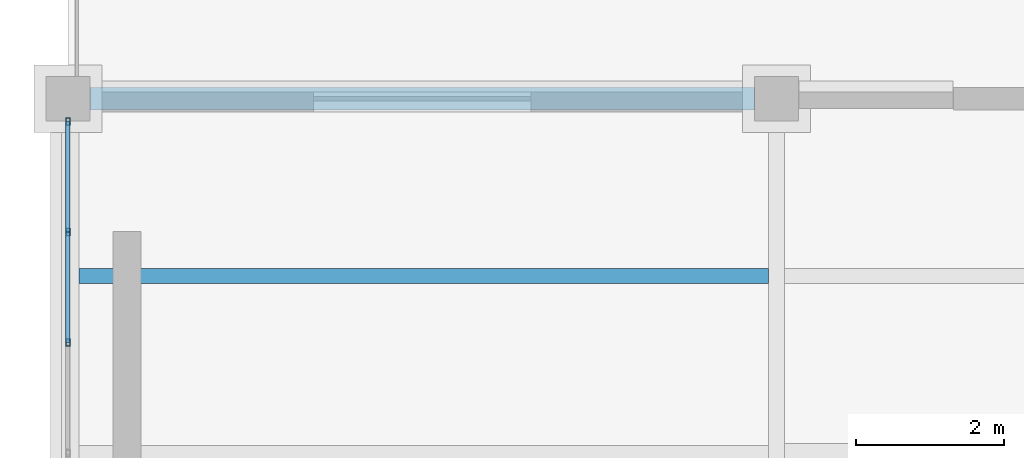
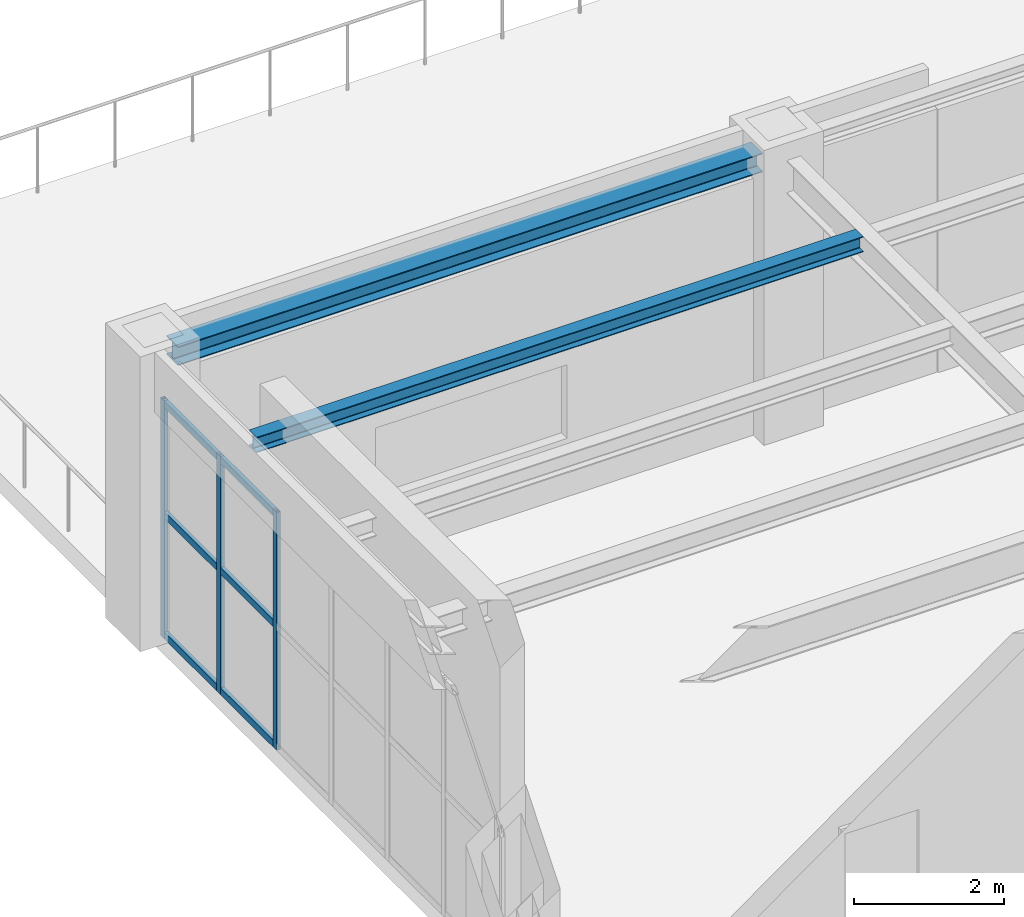
# One storey, part 5 of 83: 9 members, 2 beams, 1 element without a shape of its own.
"""IFC4 building model written with IfcOpenShell, lengths in metres."""

import ifcopenshell
import ifcopenshell.guid

model = None  # the IFC model being written
_history = None  # IfcOwnerHistory: only IFC2X3 demands one
_inside = {}  # id of a spatial element -> (the spatial element, [elements in it])
_under = {}  # id of a project, library or spatial element -> (it, [spatial elements below it])
_declared = {}  # id of a project -> (the project, [libraries it declares])
_typed = {}  # id of a type object -> (the type object, [elements of that type])
_made_of = {}  # id of a material, layer set ... -> (it, [elements and type objects made of it])


def new_model(schema):
    """Start an empty IFC model of exactly this schema.

    Asked for "IFC4X3", IfcOpenShell would pick the latest addendum, in which some entities
    have other attributes; the version numbers below select the first issue.
    IFC2X3 requires an IfcOwnerHistory on every rooted entity: one is made here for all.
    """
    global model, _history
    if schema == "IFC4X3":
        model = ifcopenshell.file(schema_version=(4, 3, 0, 0))
    else:
        model = ifcopenshell.file(schema=schema)
    _inside.clear()
    _under.clear()
    _declared.clear()
    _typed.clear()
    _made_of.clear()
    _history = None
    if model.schema == "IFC2X3":
        org = make("IfcOrganization", Name="unknown")
        user = make(
            "IfcPersonAndOrganization",
            ThePerson=make("IfcPerson", FamilyName="unknown"),
            TheOrganization=org,
        )
        app = make(
            "IfcApplication",
            ApplicationDeveloper=org,
            Version="unknown",
            ApplicationFullName="unknown",
            ApplicationIdentifier="unknown",
        )
        _history = make(
            "IfcOwnerHistory",
            OwningUser=user,
            OwningApplication=app,
            ChangeAction="ADDED",
            CreationDate=0,
        )
    return model


def make(cls, **values):
    """One entity of the class cls with the attributes given. An attribute that is None is left unset."""
    return model.create_entity(
        cls, **{name: value for name, value in values.items() if value is not None}
    )


def rooted(cls, **values):
    """An entity with a GlobalId (a new one), such as an element, a storey or a relation."""
    return make(cls, GlobalId=ifcopenshell.guid.new(), OwnerHistory=_history, **values)


def si_unit(unit_type, name, prefix=None):
    """IfcSIUnit, for example si_unit("LENGTHUNIT", "METRE", prefix="MILLI")."""
    return make("IfcSIUnit", UnitType=unit_type, Prefix=prefix, Name=name)


def assignment(units):
    """IfcUnitAssignment: the units of a project."""
    return None if units is None else make("IfcUnitAssignment", Units=units)


def point(xyz):
    """IfcCartesianPoint."""
    return None if xyz is None else make("IfcCartesianPoint", Coordinates=xyz)


def direction(xyz):
    """IfcDirection."""
    return None if xyz is None else make("IfcDirection", DirectionRatios=xyz)


def frame(location, z_axis=None, x_axis=None):
    """IfcAxis2Placement3D, a coordinate frame: its origin and axes. An axis left out is left unset."""
    return make(
        "IfcAxis2Placement3D",
        Location=point(location),
        Axis=direction(z_axis),
        RefDirection=direction(x_axis),
    )


def frame_2d(location, x_axis=None):
    """IfcAxis2Placement2D, a coordinate frame in the plane: its origin and x axis."""
    return make(
        "IfcAxis2Placement2D", Location=point(location), RefDirection=direction(x_axis)
    )


def origin():
    """The frame at (0, 0, 0) with its axes left unset."""
    return frame((0.0, 0.0, 0.0))


def origin_2d():
    """The frame at (0, 0) in the plane with its x axis left unset."""
    return frame_2d((0.0, 0.0))


def place(relative_to, where):
    """IfcLocalPlacement: puts the frame where relative to a parent placement (None: the world)."""
    return make(
        "IfcLocalPlacement", PlacementRelTo=relative_to, RelativePlacement=where
    )


def context(
    kind, dimensions, precision=None, world=None, true_north=None, identifier=None
):
    """IfcGeometricRepresentationContext, for example the 3D "Model" context."""
    return make(
        "IfcGeometricRepresentationContext",
        ContextIdentifier=identifier,
        ContextType=kind,
        CoordinateSpaceDimension=dimensions,
        Precision=precision,
        WorldCoordinateSystem=world,
        TrueNorth=true_north,
    )


def subcontext(parent, identifier, kind, view, scale=None):
    """IfcGeometricRepresentationSubContext, for example "Body" below "Model"."""
    return make(
        "IfcGeometricRepresentationSubContext",
        ContextIdentifier=identifier,
        ContextType=kind,
        ParentContext=parent,
        TargetScale=scale,
        TargetView=view,
    )


def project(units=None, contexts=None):
    """IfcProject with its units and contexts."""
    return rooted(
        "IfcProject",
        Name="project",
        RepresentationContexts=contexts,
        UnitsInContext=assignment(units),
    )


def spatial(cls, under=None, at=None, **own):
    """A site, building, storey or space (cls), placed at a placement, below another one or the project."""
    s = rooted(cls, ObjectPlacement=at, **own)
    if under is not None:
        _under.setdefault(under.id(), (under, []))[1].append(s)
    return s


def profile(cls, at=None, kind="AREA", **sizes):
    """A parametric profile (cls). Its sizes go by their IFC names, for example OverallWidth=200.0."""
    return make(cls, ProfileType=kind, Position=at, **sizes)


def hollow_rectangle(**sizes):
    """IfcRectangleHollowProfileDef."""
    return profile("IfcRectangleHollowProfileDef", **sizes)


def i_section(**sizes):
    """IfcIShapeProfileDef."""
    return profile("IfcIShapeProfileDef", **sizes)


def extrude(swept, where, along, depth):
    """IfcExtrudedAreaSolid: the profile swept, set in the frame where, extruded along a direction by depth."""
    return make(
        "IfcExtrudedAreaSolid",
        SweptArea=swept,
        Position=where,
        ExtrudedDirection=direction(along),
        Depth=depth,
    )


def shape(context_of_items, identifier, shape_type, items):
    """IfcShapeRepresentation: the items that make up one representation, for example the "Body"."""
    return make(
        "IfcShapeRepresentation",
        ContextOfItems=context_of_items,
        RepresentationIdentifier=identifier,
        RepresentationType=shape_type,
        Items=items,
    )


def material(Name=None, Category=None):
    """IfcMaterial."""
    return make("IfcMaterial", Name=Name, Category=Category)


def material_profile(
    of_material, cross_section, Name=None, Category=None, Priority=None
):
    """IfcMaterialProfile: a cross section and its material."""
    return make(
        "IfcMaterialProfile",
        Name=Name,
        Material=of_material,
        Profile=cross_section,
        Priority=Priority,
        Category=Category,
    )


def profile_set(profiles, Name=None, composite=None):
    """IfcMaterialProfileSet."""
    return make(
        "IfcMaterialProfileSet",
        Name=Name,
        MaterialProfiles=profiles,
        CompositeProfile=composite,
    )


def made_of(thing, what):
    """Note that an element or type object is made of a material, layer set ...; save() writes the relation."""
    if what is not None:
        _made_of.setdefault(what.id(), (what, []))[1].append(thing)
    return thing


def type_object(cls, material=None, **own):
    """A type object (cls), such as IfcWallType, which elements share."""
    return made_of(rooted(cls, **own), material)


def element(
    cls,
    number,
    at=None,
    inside=None,
    cuts=None,
    type_object=None,
    material=None,
    context=None,
    identifier="Body",
    shape_type=None,
    held_by="IfcProductDefinitionShape",
    body=None,
    shapes=None,
    **own,
):
    """One element of the class cls, such as IfcWall. Its Tag is "e" and its number.

    at: its placement. inside: the storey or other place that contains it. cuts: it is an
    opening in that element (IfcRelVoidsElement). A single representation is given by context,
    identifier, shape_type and body (its items); several are given by shapes. held_by: the class
    of the entity that holds the representations. save() writes the other relations.
    """
    e = rooted(cls, Tag="e%d" % number, ObjectPlacement=at, **own)
    if body is not None:
        shapes = [shape(context, identifier, shape_type, body)]
    if shapes is not None:
        e.Representation = make(held_by, Representations=shapes)
    if inside is not None:
        _inside.setdefault(inside.id(), (inside, []))[1].append(e)
    if cuts is not None:
        rooted(
            "IfcRelVoidsElement", RelatingBuildingElement=cuts, RelatedOpeningElement=e
        )
    if type_object is not None:
        _typed.setdefault(type_object.id(), (type_object, []))[1].append(e)
    return made_of(e, material)


def aggregate(whole, parts):
    """IfcRelAggregates: a whole, such as a stair, and the parts it consists of."""
    return rooted("IfcRelAggregates", RelatingObject=whole, RelatedObjects=parts)


def save(model, path):
    """Write the relations noted so far, then the file.

    IfcRelAggregates (storeys below a building ...), IfcRelContainedInSpatialStructure (elements
    in a storey), IfcRelDefinesByType, IfcRelAssociatesMaterial and IfcRelDeclares: one each for
    every whole, place, type object, material and project.
    """
    for whole, parts in _under.values():
        aggregate(whole, parts)
    for where, things in _inside.values():
        rooted(
            "IfcRelContainedInSpatialStructure",
            RelatedElements=things,
            RelatingStructure=where,
        )
    for kind, things in _typed.values():
        rooted("IfcRelDefinesByType", RelatedObjects=things, RelatingType=kind)
    for what, things in _made_of.values():
        rooted("IfcRelAssociatesMaterial", RelatedObjects=things, RelatingMaterial=what)
    for by, libraries in _declared.values():
        rooted("IfcRelDeclares", RelatingContext=by, RelatedDefinitions=libraries)
    model.write(path)


model = new_model("IFC4")

# Units and contexts
model_context = context("Model", 3, precision=1e-05, world=origin(), true_north=direction((0.0, 1.0)))
body_context = subcontext(model_context, "Body", "Model", "MODEL_VIEW")
ifc_project = project(units=[si_unit("LENGTHUNIT", "METRE"), si_unit("AREAUNIT", "SQUARE_METRE"), si_unit("VOLUMEUNIT", "CUBIC_METRE"), si_unit("PLANEANGLEUNIT", "RADIAN"), si_unit("MASSUNIT", "GRAM", prefix="KILO")], contexts=[model_context])

# Site, building, storey
site_placement = place(None, origin())
site = spatial("IfcSite", under=ifc_project, at=site_placement, CompositionType="ELEMENT")
building_placement = place(site_placement, origin())
building = spatial("IfcBuilding", under=site, at=building_placement, Name="Mavantir Sound Aquarium", CompositionType="ELEMENT")
storey_placement = place(building_placement, frame((0.0, 0.0, 10.5)))
storey = spatial("IfcBuildingStorey", under=building, at=storey_placement, Name="L02", CompositionType="ELEMENT", Elevation=10.5)

# Beams
ifc_material_1 = material(Name="Structural Steel ASTM A992 Gr50", Category="steel")
ifc_material_profile_1 = material_profile(ifc_material_1, i_section(OverallWidth=0.202880859375, OverallDepth=0.251953125, WebThickness=0.008056640625, FlangeThickness=0.013427734375, FilletRadius=0.011962890625, at=origin_2d()), Name="W250X58")
ifc_profile_set_1 = profile_set([ifc_material_profile_1], Name="Structural Steel ASTM A992 Gr50")
beam_type_1 = type_object("IfcBeamType", Name="BM-W250X58-I", PredefinedType="JOIST", material=ifc_profile_set_1)
beam_1_placement = place(storey_placement, frame((0.152587890625, 16.800048828125, 4.389892578125), z_axis=(1.0, 0.0, 0.0), x_axis=(0.0, 1.0, 0.0)))
element("IfcBeam", 1, at=beam_1_placement, inside=storey, type_object=beam_type_1, Name="L02 secondary floor joist SJ-25 884", PredefinedType="JOIST", context=body_context, shape_type="SweptSolid", body=[
    extrude(i_section(OverallWidth=0.202880859375, OverallDepth=0.251953125, WebThickness=0.008056640625, FlangeThickness=0.013427734375, FilletRadius=0.011962890625, at=origin_2d()), origin(), (0.0, 0.0, 1.0), 9.34130859375),
])
ifc_material_profile_2 = material_profile(ifc_material_1, i_section(OverallWidth=0.304931640625, OverallDepth=0.30810546875, WebThickness=0.010009765625, FlangeThickness=0.015380859375, FilletRadius=0.014892578125, at=origin_2d()), Name="W310X97")
ifc_profile_set_2 = profile_set([ifc_material_profile_2], Name="Structural Steel ASTM A992 Gr50")
beam_type_2 = type_object("IfcBeamType", Name="BM-W310X97-E", PredefinedType="SPANDREL", material=ifc_profile_set_2)
beam_2_placement = place(storey_placement, frame((0.300048828125, 19.199951171875, 4.362060546875), z_axis=(1.0, 0.0, 0.0), x_axis=(0.0, 1.0, 0.0)))
element("IfcBeam", 2, at=beam_2_placement, inside=storey, type_object=beam_type_2, Name="L02 primary beam SS-31A 1501", PredefinedType="SPANDREL", context=body_context, shape_type="SweptSolid", body=[
    extrude(i_section(OverallWidth=0.304931640625, OverallDepth=0.30810546875, WebThickness=0.010009765625, FlangeThickness=0.015380859375, FilletRadius=0.014892578125, at=origin_2d()), origin(), (0.0, 0.0, 1.0), 9.0),
])

# Curtain wall, members
ifc_material_2 = material(Name="Anodised Marine Aluminium and Low-E Glass", Category="aluminium")
curtain_wall_type = type_object("IfcCurtainWallType", Name="CW-T07", PredefinedType="USERDEFINED", material=ifc_material_2)
curtain_wall_placement = place(storey_placement, origin())
curtain_wall = element("IfcCurtainWall", 3, at=curtain_wall_placement, inside=storey, type_object=curtain_wall_type, Name="L02 unitised curtain wall CW-07 127", ObjectType="UNITISED GLAZING", PredefinedType="USERDEFINED")
ifc_material_3 = material(Name="Anodised Marine Aluminium 6063-T6", Category="aluminium")
ifc_material_profile_3 = material_profile(ifc_material_3, hollow_rectangle(XDim=0.06005859375, YDim=0.10009765625, WallThickness=0.00390625, at=origin_2d()), Name="ALU-MULLION-100X60")
ifc_profile_set_3 = profile_set([ifc_material_profile_3], Name="Anodised Marine Aluminium 6063-T6")
member_type_1 = type_object("IfcMemberType", Name="CW-MUL-100", PredefinedType="MULLION", material=ifc_profile_set_3)
member_1_placement = place(storey_placement, frame((0.0, 18.89208984375, 0.0), z_axis=(0.0, 0.0, 1.0), x_axis=(1.0, 0.0, 0.0)))
member_1 = element("IfcMember", 4, at=member_1_placement, type_object=member_type_1, Name="CW-L02-127 vertical mullion 1", PredefinedType="MULLION", context=body_context, shape_type="SweptSolid", body=[
    extrude(hollow_rectangle(XDim=0.06005859375, YDim=0.10009765625, WallThickness=0.00390625, at=origin_2d()), origin(), (0.0, 0.0, 1.0), 3.8740234375),
])
member_2_placement = place(storey_placement, frame((0.0, 17.394775390625, 0.0), z_axis=(0.0, 0.0, 1.0), x_axis=(1.0, 0.0, 0.0)))
member_2 = element("IfcMember", 5, at=member_2_placement, type_object=member_type_1, Name="CW-L02-127 vertical mullion 2", PredefinedType="MULLION", context=body_context, shape_type="SweptSolid", body=[
    extrude(hollow_rectangle(XDim=0.06005859375, YDim=0.10009765625, WallThickness=0.00390625, at=origin_2d()), origin(), (0.0, 0.0, 1.0), 3.8740234375),
])
member_3_placement = place(storey_placement, frame((0.0, 15.897216796875, 0.0), z_axis=(0.0, 0.0, 1.0), x_axis=(1.0, 0.0, 0.0)))
member_3 = element("IfcMember", 6, at=member_3_placement, type_object=member_type_1, Name="CW-L02-127 vertical mullion 3", PredefinedType="MULLION", context=body_context, shape_type="SweptSolid", body=[
    extrude(hollow_rectangle(XDim=0.06005859375, YDim=0.10009765625, WallThickness=0.00390625, at=origin_2d()), origin(), (0.0, 0.0, 1.0), 3.8740234375),
])
ifc_material_profile_4 = material_profile(ifc_material_3, hollow_rectangle(XDim=0.06005859375, YDim=0.110107421875, WallThickness=0.00390625, at=origin_2d()), Name="ALU-TRANSOM-110X60")
ifc_profile_set_4 = profile_set([ifc_material_profile_4], Name="Anodised Marine Aluminium 6063-T6")
member_type_2 = type_object("IfcMemberType", Name="CW-TRN-110", PredefinedType="USERDEFINED", material=ifc_profile_set_4)
member_4_placement = place(storey_placement, frame((0.0, 18.89208984375, 0.054931640625), z_axis=(0.0, -1.0, 0.0), x_axis=(1.0, 0.0, 0.0)))
member_4 = element("IfcMember", 7, at=member_4_placement, type_object=member_type_2, Name="CW-L02-127 transom 1.1", ObjectType="TRANSOM", PredefinedType="USERDEFINED", context=body_context, shape_type="SweptSolid", body=[
    extrude(hollow_rectangle(XDim=0.06005859375, YDim=0.110107421875, WallThickness=0.00390625, at=origin_2d()), origin(), (0.0, 0.0, 1.0), 1.497314453125),
])
member_5_placement = place(storey_placement, frame((0.0, 18.89208984375, 2.014404296875), z_axis=(0.0, -1.0, 0.0), x_axis=(1.0, 0.0, 0.0)))
member_5 = element("IfcMember", 8, at=member_5_placement, type_object=member_type_2, Name="CW-L02-127 transom 1.2", ObjectType="TRANSOM", PredefinedType="USERDEFINED", context=body_context, shape_type="SweptSolid", body=[
    extrude(hollow_rectangle(XDim=0.06005859375, YDim=0.110107421875, WallThickness=0.00390625, at=origin_2d()), origin(), (0.0, 0.0, 1.0), 1.497314453125),
])
member_6_placement = place(storey_placement, frame((0.0, 18.89208984375, 3.819091796875), z_axis=(0.0, -1.0, 0.0), x_axis=(1.0, 0.0, 0.0)))
member_6 = element("IfcMember", 9, at=member_6_placement, type_object=member_type_2, Name="CW-L02-127 transom 1.3", ObjectType="TRANSOM", PredefinedType="USERDEFINED", context=body_context, shape_type="SweptSolid", body=[
    extrude(hollow_rectangle(XDim=0.06005859375, YDim=0.110107421875, WallThickness=0.00390625, at=origin_2d()), origin(), (0.0, 0.0, 1.0), 1.497314453125),
])
member_7_placement = place(storey_placement, frame((0.0, 17.394775390625, 0.054931640625), z_axis=(0.0, -1.0, 0.0), x_axis=(1.0, 0.0, 0.0)))
member_7 = element("IfcMember", 10, at=member_7_placement, type_object=member_type_2, Name="CW-L02-127 transom 2.1", ObjectType="TRANSOM", PredefinedType="USERDEFINED", context=body_context, shape_type="SweptSolid", body=[
    extrude(hollow_rectangle(XDim=0.06005859375, YDim=0.110107421875, WallThickness=0.00390625, at=origin_2d()), origin(), (0.0, 0.0, 1.0), 1.49755859375),
])
member_8_placement = place(storey_placement, frame((0.0, 17.394775390625, 2.014404296875), z_axis=(0.0, -1.0, 0.0), x_axis=(1.0, 0.0, 0.0)))
member_8 = element("IfcMember", 11, at=member_8_placement, type_object=member_type_2, Name="CW-L02-127 transom 2.2", ObjectType="TRANSOM", PredefinedType="USERDEFINED", context=body_context, shape_type="SweptSolid", body=[
    extrude(hollow_rectangle(XDim=0.06005859375, YDim=0.110107421875, WallThickness=0.00390625, at=origin_2d()), origin(), (0.0, 0.0, 1.0), 1.49755859375),
])
member_9_placement = place(storey_placement, frame((0.0, 17.394775390625, 3.819091796875), z_axis=(0.0, -1.0, 0.0), x_axis=(1.0, 0.0, 0.0)))
member_9 = element("IfcMember", 12, at=member_9_placement, type_object=member_type_2, Name="CW-L02-127 transom 2.3", ObjectType="TRANSOM", PredefinedType="USERDEFINED", context=body_context, shape_type="SweptSolid", body=[
    extrude(hollow_rectangle(XDim=0.06005859375, YDim=0.110107421875, WallThickness=0.00390625, at=origin_2d()), origin(), (0.0, 0.0, 1.0), 1.49755859375),
])
aggregate(curtain_wall, [member_1, member_2, member_3, member_4, member_5, member_6, member_7, member_8, member_9])

save(model, "model.ifc")
